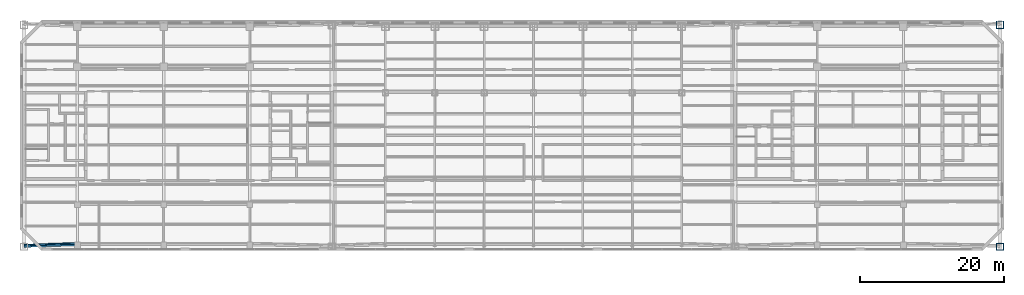
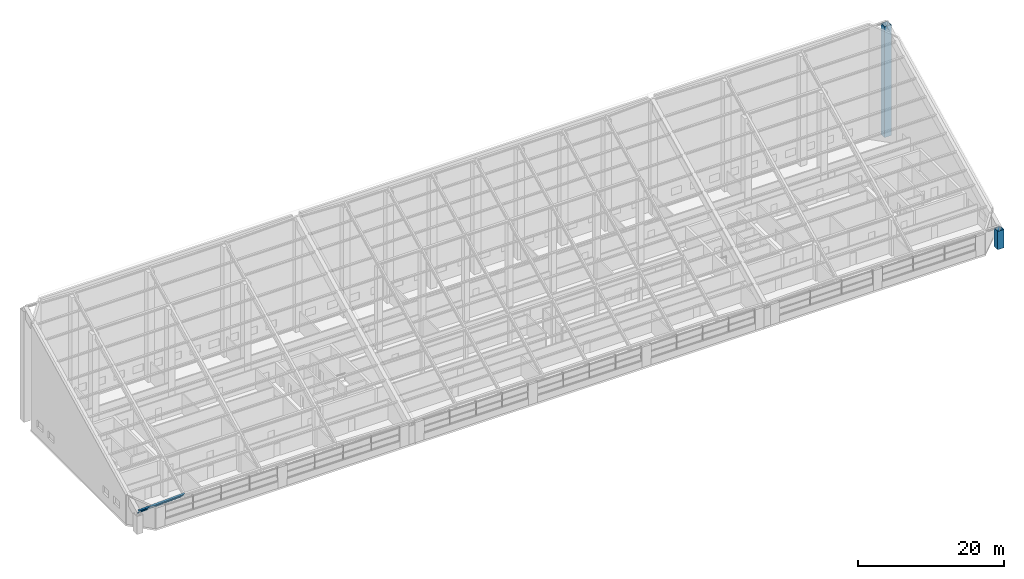
# One storey, part 3 of 28: 2 columns, 1 member.
"""IFC4 building model written with IfcOpenShell, lengths in metres."""

from ifc_helpers import new_model, si_unit, direction, frame, origin, origin_2d, place, context, subcontext, project, spatial, hollow_rectangle, i_section, extrude, material, material_profile, profile_set, type_object, element, save


model = new_model("IFC4")

# Units and contexts
model_context = context("Model", 3, precision=1e-05, world=origin(), true_north=direction((0.0, 1.0)))
body_context = subcontext(model_context, "Body", "Model", "MODEL_VIEW")
ifc_project = project(units=[si_unit("LENGTHUNIT", "METRE"), si_unit("AREAUNIT", "SQUARE_METRE"), si_unit("VOLUMEUNIT", "CUBIC_METRE"), si_unit("PLANEANGLEUNIT", "RADIAN"), si_unit("MASSUNIT", "GRAM", prefix="KILO")], contexts=[model_context])

# Site, building, storey
site_placement = place(None, origin())
site = spatial("IfcSite", under=ifc_project, at=site_placement, CompositionType="ELEMENT")
building_placement = place(site_placement, origin())
building = spatial("IfcBuilding", under=site, at=building_placement, Name="Tuart Gate Housing", CompositionType="ELEMENT")
storey_placement = place(building_placement, frame((0.0, 0.0, 243.89990234375)))
storey = spatial("IfcBuildingStorey", under=building, at=storey_placement, Name="L68", CompositionType="ELEMENT", Elevation=243.89990234375)

# Columns
ifc_material_1 = material(Name="Steel Grade 350", Category="steel")
ifc_material_profile_1 = material_profile(ifc_material_1, hollow_rectangle(XDim=1.0, YDim=1.0, WallThickness=0.054931640625, at=origin_2d()), Name="BOX 1000x1000x55")
ifc_profile_set_1 = profile_set([ifc_material_profile_1], Name="Steel Grade 350")
column_type_1 = type_object("IfcColumnType", Name="Mega column BOX 1000x1000x55", PredefinedType="COLUMN", material=ifc_profile_set_1)
column_1_placement = place(storey_placement, frame((168.449951171875, 54.550048828125, 0.0), z_axis=(0.0, 0.0, 1.0), x_axis=(1.0, 0.0, 0.0)))
element("IfcColumn", 1, at=column_1_placement, inside=storey, type_object=column_type_1, Name="Mega column B south-east L68", PredefinedType="COLUMN", context=body_context, shape_type="SweptSolid", body=[
    extrude(hollow_rectangle(XDim=1.0, YDim=1.0, WallThickness=0.054931640625, at=origin_2d()), origin(), (0.0, 0.0, 1.0), 3.03759765625),
])
ifc_material_2 = material(Name="Steel Grade 350", Category="steel")
ifc_material_profile_2 = material_profile(ifc_material_2, hollow_rectangle(XDim=1.050048828125, YDim=1.050048828125, WallThickness=0.052978515625, at=origin_2d()), Name="BOX 1050x1050x53")
ifc_profile_set_2 = profile_set([ifc_material_profile_2], Name="Steel Grade 350")
column_type_2 = type_object("IfcColumnType", Name="Mega column BOX 1050x1050x53", PredefinedType="COLUMN", material=ifc_profile_set_2)
column_2_placement = place(storey_placement, frame((168.449951171875, 85.449951171875, 0.0), z_axis=(0.0, 0.0, 1.0), x_axis=(1.0, 0.0, 0.0)))
element("IfcColumn", 2, at=column_2_placement, inside=storey, type_object=column_type_2, Name="Mega column B north-east L68", PredefinedType="COLUMN", context=body_context, shape_type="SweptSolid", body=[
    extrude(hollow_rectangle(XDim=1.050048828125, YDim=1.050048828125, WallThickness=0.052978515625, at=origin_2d()), origin(), (0.0, 0.0, 1.0), 18.48779296875),
])

# Member
ifc_material_3 = material(Name="Steel Grade 350", Category="steel")
ifc_material_profile_3 = material_profile(ifc_material_3, i_section(OverallWidth=0.22900390625, OverallDepth=0.612060546875, WebThickness=0.011962890625, FlangeThickness=0.01953125, at=origin_2d()), Name="610UB125")
ifc_profile_set_3 = profile_set([ifc_material_profile_3], Name="Steel Grade 350")
member_type = type_object("IfcMemberType", Name="Crown purlin 610 UB125", PredefinedType="PURLIN", material=ifc_profile_set_3)
member_placement = place(storey_placement, frame((32.550048828125, 54.686767578125, 3.301513671875), z_axis=(0.999296935793, 0.033533674005, 0.016766837002), x_axis=(-0.037491785813, 0.893672148976, 0.447151491265)))
element("IfcMember", 3, at=member_placement, inside=storey, type_object=member_type, Name="Crown purlin 1", PredefinedType="PURLIN", context=body_context, shape_type="SweptSolid", body=[
    extrude(i_section(OverallWidth=0.22900390625, OverallDepth=0.612060546875, WebThickness=0.011962890625, FlangeThickness=0.01953125, at=origin_2d()), origin(), (0.0, 0.0, 1.0), 7.455078125),
])

save(model, "model.ifc")
